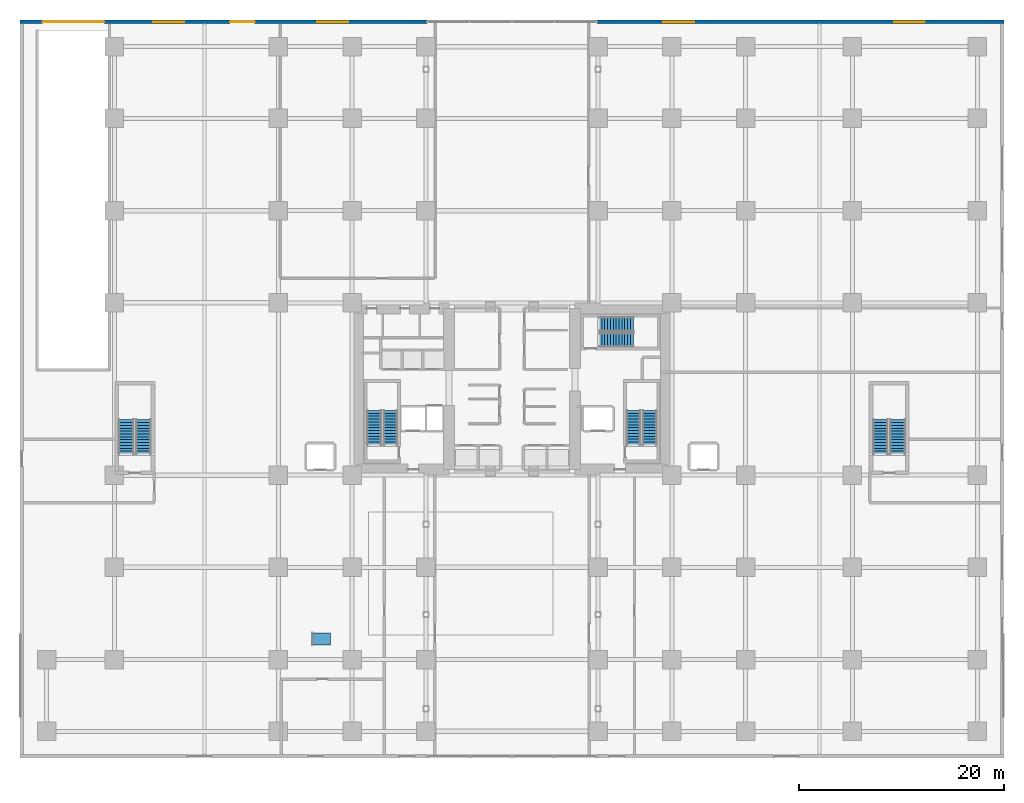
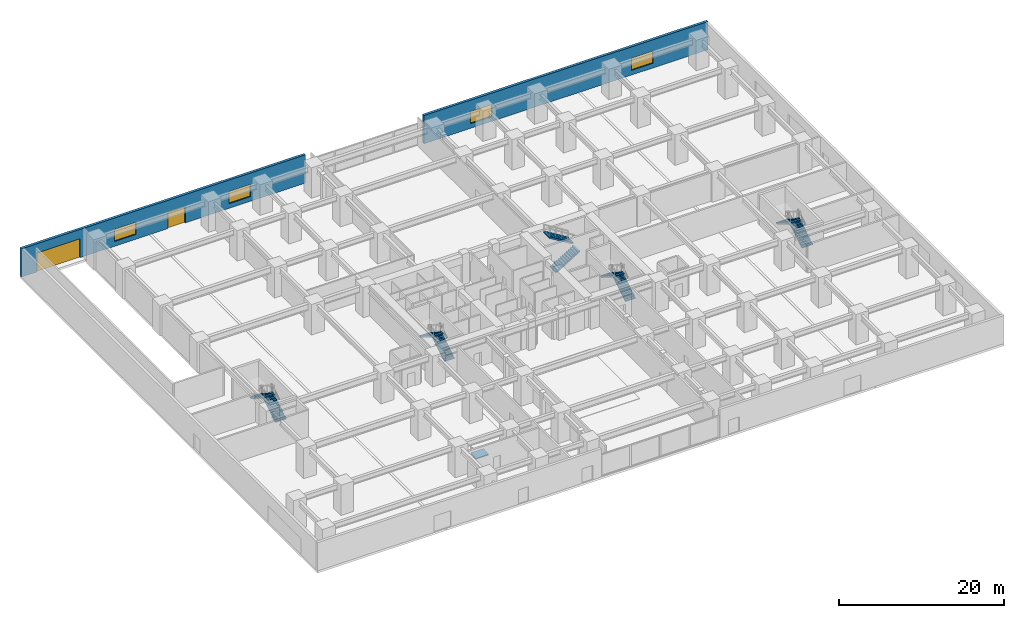
# One storey, part 17 of 26: 10 stair flights, 4 windows, 2 doors, 2 walls, 1 ramp flight, 6 openings, 6 elements without a shape of their own.
"""IFC4 building model written with IfcOpenShell, lengths in metres."""

from ifc_helpers import new_model, si_unit, direction, frame, frame_2d, origin, place, context, subcontext, project, spatial, polyline, rectangle, outline, extrude, material, layer, layer_set, type_object, element, fill, aggregate, save


model = new_model("IFC4")

# Units and contexts
model_context = context("Model", 3, precision=1e-05, world=origin(), true_north=direction((0.0, 1.0)))
body_context = subcontext(model_context, "Body", "Model", "MODEL_VIEW")
ifc_project = project(units=[si_unit("LENGTHUNIT", "METRE"), si_unit("AREAUNIT", "SQUARE_METRE"), si_unit("VOLUMEUNIT", "CUBIC_METRE"), si_unit("PLANEANGLEUNIT", "RADIAN"), si_unit("MASSUNIT", "GRAM", prefix="KILO")], contexts=[model_context])

# Site, building, storey
site_placement = place(None, origin())
site = spatial("IfcSite", under=ifc_project, at=site_placement, CompositionType="ELEMENT")
building_placement = place(site_placement, origin())
building = spatial("IfcBuilding", under=site, at=building_placement, Name="Kiyonajd Concourse Tower", CompositionType="ELEMENT")
storey_placement = place(building_placement, origin())
storey = spatial("IfcBuildingStorey", under=building, at=storey_placement, Name="L01", CompositionType="ELEMENT", Elevation=0.0)

# Wall, openings, doors, windows
ifc_material_1 = material(Name="Precast concrete C50/60", Category="concrete")
ifc_layer_1 = layer(ifc_material_1, 0.360107421875)
ifc_layer_set_1 = layer_set([ifc_layer_1], Name="Precast concrete C50/60")
wall_type = type_object("IfcWallType", Name="WL-EXT-360", PredefinedType="SOLIDWALL", material=ifc_layer_set_1)
wall_1_placement = place(storey_placement, frame((0.0, 71.820068359375, 0.0), z_axis=(0.0, 0.0, 1.0), x_axis=(1.0, 0.0, 0.0)))
wall_1 = element("IfcWall", 1, at=wall_1_placement, inside=storey, type_object=wall_type, Name="L01 North West Podium Facade Wall", PredefinedType="SOLIDWALL", context=body_context, shape_type="SweptSolid", body=[
    extrude(rectangle(XDim=39.719970703125, YDim=0.360107421875, at=frame_2d((19.85986328125, 0.0))), origin(), (0.0, 0.0, 1.0), 4.179931640625),
])
opening_1_placement = place(wall_1_placement, frame((13.0, 0.0, 0.699951171875)))
opening_1 = element("IfcOpeningElement", 2, at=opening_1_placement, cuts=wall_1, Name="Opening WN7", PredefinedType="OPENING", context=body_context, shape_type="SweptSolid", body=[
    extrude(rectangle(XDim=3.0, YDim=1.800048828125, at=frame_2d((1.5, 0.89990234375))), frame((0.0, 0.18994140625, 0.0), z_axis=(0.0, -1.0, 0.0), x_axis=(1.0, 0.0, 0.0)), (0.0, 0.0, 1.0), 0.380126953125),
])
opening_2_placement = place(wall_1_placement, frame((29.0, 0.0, 0.699951171875)))
opening_2 = element("IfcOpeningElement", 3, at=opening_2_placement, cuts=wall_1, Name="Opening WN7", PredefinedType="OPENING", context=body_context, shape_type="SweptSolid", body=[
    extrude(rectangle(XDim=3.0, YDim=1.800048828125, at=frame_2d((1.5, 0.89990234375))), frame((0.0, 0.18994140625, 0.0), z_axis=(0.0, -1.0, 0.0), x_axis=(1.0, 0.0, 0.0)), (0.0, 0.0, 1.0), 0.380126953125),
])
opening_3_placement = place(wall_1_placement, frame((2.199951171875, 0.0, 0.0)))
opening_3 = element("IfcOpeningElement", 4, at=opening_3_placement, cuts=wall_1, Name="Opening VG1", PredefinedType="OPENING", context=body_context, shape_type="SweptSolid", body=[
    extrude(rectangle(XDim=6.0, YDim=2.800048828125, at=frame_2d((3.0, 1.39990234375))), frame((0.0, 0.18994140625, 0.0), z_axis=(0.0, -1.0, 0.0), x_axis=(1.0, 0.0, 0.0)), (0.0, 0.0, 1.0), 0.380126953125),
])
opening_4_placement = place(wall_1_placement, frame((20.5, 0.0, 0.0)))
opening_4 = element("IfcOpeningElement", 5, at=opening_4_placement, cuts=wall_1, Name="Opening DCN1", PredefinedType="OPENING", context=body_context, shape_type="SweptSolid", body=[
    extrude(rectangle(XDim=2.39990234375, YDim=2.39990234375, at=frame_2d((1.199951171875, 1.199951171875))), frame((0.0, 0.18994140625, 0.0), z_axis=(0.0, -1.0, 0.0), x_axis=(1.0, 0.0, 0.0)), (0.0, 0.0, 1.0), 0.380126953125),
])
ifc_material_2 = material(Name="Thermally Broken Anodised Aluminium", Category="aluminium")
door_type_1 = type_object("IfcDoorType", Name="DR-CON-2400", OperationType="DOUBLE_DOOR_SINGLE_SWING", PredefinedType="DOOR", material=ifc_material_2)
door_1_placement = place(opening_4_placement, origin())
door_1 = element("IfcDoor", 6, at=door_1_placement, inside=storey, type_object=door_type_1, Name="L01 North Plaza Entrance Door", OperationType="DOUBLE_DOOR_SINGLE_SWING", OverallHeight=2.39990234375, OverallWidth=2.39990234375, PredefinedType="DOOR", context=body_context, shape_type="SweptSolid", body=[
    extrude(rectangle(XDim=2.39990234375, YDim=2.39990234375, at=frame_2d((1.199951171875, 1.199951171875))), frame((0.0, 0.02490234375, 0.0), z_axis=(0.0, -1.0, 0.0), x_axis=(1.0, 0.0, 0.0)), (0.0, 0.0, 1.0), 0.050048828125),
])
fill(opening_4, door_1)
door_type_2 = type_object("IfcDoorType", Name="DR-GATE-VG1", OperationType="ROLLINGUP", PredefinedType="GATE", material=ifc_material_2)
door_2_placement = place(opening_3_placement, origin())
door_2 = element("IfcDoor", 7, at=door_2_placement, inside=storey, type_object=door_type_2, Name="Basement Car Park Vehicle Ramp Shutter Gate VG1", OperationType="ROLLINGUP", OverallHeight=2.800048828125, OverallWidth=6.0, PredefinedType="GATE", context=body_context, shape_type="SweptSolid", body=[
    extrude(rectangle(XDim=6.0, YDim=2.800048828125, at=frame_2d((3.0, 1.39990234375))), frame((0.0, 0.02490234375, 0.0), z_axis=(0.0, -1.0, 0.0), x_axis=(1.0, 0.0, 0.0)), (0.0, 0.0, 1.0), 0.050048828125),
])
fill(opening_3, door_2)
ifc_material_3 = material(Name="Double Low-E Insulated Glass", Category="glass")
window_type = type_object("IfcWindowType", Name="WN-POD-3000x1800", PartitioningType="SINGLE_PANEL", PredefinedType="WINDOW", material=ifc_material_3)
window_1_placement = place(opening_1_placement, origin())
window_1 = element("IfcWindow", 8, at=window_1_placement, inside=storey, type_object=window_type, Name="L01 North West Podium Vision Window", OverallHeight=1.800048828125, OverallWidth=3.0, PartitioningType="SINGLE_PANEL", PredefinedType="WINDOW", context=body_context, shape_type="SweptSolid", body=[
    extrude(rectangle(XDim=3.0, YDim=1.800048828125, at=frame_2d((1.5, 0.89990234375))), frame((0.0, 0.030029296875, 0.0), z_axis=(0.0, -1.0, 0.0), x_axis=(1.0, 0.0, 0.0)), (0.0, 0.0, 1.0), 0.06005859375),
])
fill(opening_1, window_1)
window_2_placement = place(opening_2_placement, origin())
window_2 = element("IfcWindow", 9, at=window_2_placement, inside=storey, type_object=window_type, Name="L01 North West Podium Vision Window", OverallHeight=1.800048828125, OverallWidth=3.0, PartitioningType="SINGLE_PANEL", PredefinedType="WINDOW", context=body_context, shape_type="SweptSolid", body=[
    extrude(rectangle(XDim=3.0, YDim=1.800048828125, at=frame_2d((1.5, 0.89990234375))), frame((0.0, 0.030029296875, 0.0), z_axis=(0.0, -1.0, 0.0), x_axis=(1.0, 0.0, 0.0)), (0.0, 0.0, 1.0), 0.06005859375),
])
fill(opening_2, window_2)

# Wall, openings, windows
wall_2_placement = place(storey_placement, frame((56.280029296875, 71.820068359375, 0.0), z_axis=(0.0, 0.0, 1.0), x_axis=(1.0, 0.0, 0.0)))
wall_2 = element("IfcWall", 10, at=wall_2_placement, inside=storey, type_object=wall_type, Name="L01 North East Podium Facade Wall", PredefinedType="SOLIDWALL", context=body_context, shape_type="SweptSolid", body=[
    extrude(rectangle(XDim=39.719970703125, YDim=0.360107421875, at=frame_2d((19.85986328125, 0.0))), origin(), (0.0, 0.0, 1.0), 4.179931640625),
])
opening_5_placement = place(wall_2_placement, frame((6.5, 0.0, 0.699951171875)))
opening_5 = element("IfcOpeningElement", 11, at=opening_5_placement, cuts=wall_2, Name="Opening WN7", PredefinedType="OPENING", context=body_context, shape_type="SweptSolid", body=[
    extrude(rectangle(XDim=3.0, YDim=1.800048828125, at=frame_2d((1.5, 0.89990234375))), frame((0.0, 0.18994140625, 0.0), z_axis=(0.0, -1.0, 0.0), x_axis=(1.0, 0.0, 0.0)), (0.0, 0.0, 1.0), 0.380126953125),
])
opening_6_placement = place(wall_2_placement, frame((29.0, 0.0, 0.699951171875)))
opening_6 = element("IfcOpeningElement", 12, at=opening_6_placement, cuts=wall_2, Name="Opening WN7", PredefinedType="OPENING", context=body_context, shape_type="SweptSolid", body=[
    extrude(rectangle(XDim=3.0, YDim=1.800048828125, at=frame_2d((1.5, 0.89990234375))), frame((0.0, 0.18994140625, 0.0), z_axis=(0.0, -1.0, 0.0), x_axis=(1.0, 0.0, 0.0)), (0.0, 0.0, 1.0), 0.380126953125),
])
window_3_placement = place(opening_5_placement, origin())
window_3 = element("IfcWindow", 13, at=window_3_placement, inside=storey, type_object=window_type, Name="L01 North East Podium Vision Window", OverallHeight=1.800048828125, OverallWidth=3.0, PartitioningType="SINGLE_PANEL", PredefinedType="WINDOW", context=body_context, shape_type="SweptSolid", body=[
    extrude(rectangle(XDim=3.0, YDim=1.800048828125, at=frame_2d((1.5, 0.89990234375))), frame((0.0, 0.030029296875, 0.0), z_axis=(0.0, -1.0, 0.0), x_axis=(1.0, 0.0, 0.0)), (0.0, 0.0, 1.0), 0.06005859375),
])
fill(opening_5, window_3)
window_4_placement = place(opening_6_placement, origin())
window_4 = element("IfcWindow", 14, at=window_4_placement, inside=storey, type_object=window_type, Name="L01 North East Podium Vision Window", OverallHeight=1.800048828125, OverallWidth=3.0, PartitioningType="SINGLE_PANEL", PredefinedType="WINDOW", context=body_context, shape_type="SweptSolid", body=[
    extrude(rectangle(XDim=3.0, YDim=1.800048828125, at=frame_2d((1.5, 0.89990234375))), frame((0.0, 0.030029296875, 0.0), z_axis=(0.0, -1.0, 0.0), x_axis=(1.0, 0.0, 0.0)), (0.0, 0.0, 1.0), 0.06005859375),
])
fill(opening_6, window_4)

# Stair, stair flights
ifc_material_4 = material(Name="Concrete C40/50", Category="concrete")
stair_type_1 = type_object("IfcStairType", Name="ST-POD-1500", PredefinedType="HALF_TURN_STAIR", material=ifc_material_4)
stair_1_placement = place(storey_placement, origin())
stair_1 = element("IfcStair", 15, at=stair_1_placement, inside=storey, type_object=stair_type_1, Name="L01 West Podium Exit Stair ST4", PredefinedType="HALF_TURN_STAIR")
stair_flight_type_1 = type_object("IfcStairFlightType", Name="SF-POD-1500", PredefinedType="STRAIGHT", material=ifc_material_4)
stair_flight_1_placement = place(storey_placement, frame((12.050048828125, 29.64990234375, 0.0), z_axis=(0.0, 0.0, 1.0), x_axis=(0.0, 1.0, 0.0)))
stair_flight_1 = element("IfcStairFlight", 16, at=stair_flight_1_placement, type_object=stair_flight_type_1, Name="ST4 flight 1", NumberOfRisers=13, NumberOfTreads=12, PredefinedType="STRAIGHT", RiserHeight=0.173076923, TreadLength=0.28, context=body_context, shape_type="SweptSolid", body=[
    extrude(outline(polyline([(0.0, 0.0), (0.0, 0.173095703125), (0.280029296875, 0.173095703125), (0.280029296875, 0.34619140625), (0.56005859375, 0.34619140625), (0.56005859375, 0.519287109375), (0.840087890625, 0.519287109375), (0.840087890625, 0.6923828125), (1.1201171875, 0.6923828125), (1.1201171875, 0.865478515625), (1.39990234375, 0.865478515625), (1.39990234375, 1.03857421875), (1.679931640625, 1.03857421875), (1.679931640625, 1.21142578125), (1.9599609375, 1.21142578125), (1.9599609375, 1.384521484375), (2.239990234375, 1.384521484375), (2.239990234375, 1.5576171875), (2.52001953125, 1.5576171875), (2.52001953125, 1.730712890625), (2.800048828125, 1.730712890625), (2.800048828125, 1.90380859375), (3.080078125, 1.90380859375), (3.080078125, 2.076904296875), (3.360107421875, 2.076904296875), (3.360107421875, 2.25), (3.360107421875, 1.900634765625), (0.28515625, 0.0), (0.0, 0.0)])), frame((0.0, 0.75, 0.0), z_axis=(0.0, -1.0, 0.0), x_axis=(1.0, 0.0, 0.0)), (0.0, 0.0, 1.0), 1.5),
])
stair_flight_2_placement = place(storey_placement, frame((10.35009765625, 33.010009765625, 2.25), z_axis=(0.0, 0.0, 1.0), x_axis=(0.0, -1.0, 0.0)))
stair_flight_2 = element("IfcStairFlight", 17, at=stair_flight_2_placement, type_object=stair_flight_type_1, Name="ST4 flight 2", NumberOfRisers=13, NumberOfTreads=12, PredefinedType="STRAIGHT", RiserHeight=0.173076923, TreadLength=0.28, context=body_context, shape_type="SweptSolid", body=[
    extrude(outline(polyline([(0.0, 0.0), (0.0, 0.173095703125), (0.280029296875, 0.173095703125), (0.280029296875, 0.34619140625), (0.56005859375, 0.34619140625), (0.56005859375, 0.519287109375), (0.840087890625, 0.519287109375), (0.840087890625, 0.6923828125), (1.1201171875, 0.6923828125), (1.1201171875, 0.865478515625), (1.39990234375, 0.865478515625), (1.39990234375, 1.03857421875), (1.679931640625, 1.03857421875), (1.679931640625, 1.21142578125), (1.9599609375, 1.21142578125), (1.9599609375, 1.384521484375), (2.239990234375, 1.384521484375), (2.239990234375, 1.5576171875), (2.52001953125, 1.5576171875), (2.52001953125, 1.730712890625), (2.800048828125, 1.730712890625), (2.800048828125, 1.90380859375), (3.080078125, 1.90380859375), (3.080078125, 2.076904296875), (3.360107421875, 2.076904296875), (3.360107421875, 2.25), (3.360107421875, 1.900634765625), (0.28515625, 0.0), (0.0, 0.0)])), frame((0.0, 0.75, 0.0), z_axis=(0.0, -1.0, 0.0), x_axis=(1.0, 0.0, 0.0)), (0.0, 0.0, 1.0), 1.5),
])
aggregate(stair_1, [stair_flight_1, stair_flight_2])

stair_2_placement = place(storey_placement, origin())
stair_2 = element("IfcStair", 18, at=stair_2_placement, inside=storey, type_object=stair_type_1, Name="L01 East Podium Exit Stair ST5", PredefinedType="HALF_TURN_STAIR")
stair_flight_3_placement = place(storey_placement, frame((85.64990234375, 29.64990234375, 0.0), z_axis=(0.0, 0.0, 1.0), x_axis=(0.0, 1.0, 0.0)))
stair_flight_3 = element("IfcStairFlight", 19, at=stair_flight_3_placement, type_object=stair_flight_type_1, Name="ST5 flight 1", NumberOfRisers=13, NumberOfTreads=12, PredefinedType="STRAIGHT", RiserHeight=0.173076923, TreadLength=0.28, context=body_context, shape_type="SweptSolid", body=[
    extrude(outline(polyline([(0.0, 0.0), (0.0, 0.173095703125), (0.280029296875, 0.173095703125), (0.280029296875, 0.34619140625), (0.56005859375, 0.34619140625), (0.56005859375, 0.519287109375), (0.840087890625, 0.519287109375), (0.840087890625, 0.6923828125), (1.1201171875, 0.6923828125), (1.1201171875, 0.865478515625), (1.39990234375, 0.865478515625), (1.39990234375, 1.03857421875), (1.679931640625, 1.03857421875), (1.679931640625, 1.21142578125), (1.9599609375, 1.21142578125), (1.9599609375, 1.384521484375), (2.239990234375, 1.384521484375), (2.239990234375, 1.5576171875), (2.52001953125, 1.5576171875), (2.52001953125, 1.730712890625), (2.800048828125, 1.730712890625), (2.800048828125, 1.90380859375), (3.080078125, 1.90380859375), (3.080078125, 2.076904296875), (3.360107421875, 2.076904296875), (3.360107421875, 2.25), (3.360107421875, 1.900634765625), (0.28515625, 0.0), (0.0, 0.0)])), frame((0.0, 0.75, 0.0), z_axis=(0.0, -1.0, 0.0), x_axis=(1.0, 0.0, 0.0)), (0.0, 0.0, 1.0), 1.5),
])
stair_flight_4_placement = place(storey_placement, frame((83.949951171875, 33.010009765625, 2.25), z_axis=(0.0, 0.0, 1.0), x_axis=(0.0, -1.0, 0.0)))
stair_flight_4 = element("IfcStairFlight", 20, at=stair_flight_4_placement, type_object=stair_flight_type_1, Name="ST5 flight 2", NumberOfRisers=13, NumberOfTreads=12, PredefinedType="STRAIGHT", RiserHeight=0.173076923, TreadLength=0.28, context=body_context, shape_type="SweptSolid", body=[
    extrude(outline(polyline([(0.0, 0.0), (0.0, 0.173095703125), (0.280029296875, 0.173095703125), (0.280029296875, 0.34619140625), (0.56005859375, 0.34619140625), (0.56005859375, 0.519287109375), (0.840087890625, 0.519287109375), (0.840087890625, 0.6923828125), (1.1201171875, 0.6923828125), (1.1201171875, 0.865478515625), (1.39990234375, 0.865478515625), (1.39990234375, 1.03857421875), (1.679931640625, 1.03857421875), (1.679931640625, 1.21142578125), (1.9599609375, 1.21142578125), (1.9599609375, 1.384521484375), (2.239990234375, 1.384521484375), (2.239990234375, 1.5576171875), (2.52001953125, 1.5576171875), (2.52001953125, 1.730712890625), (2.800048828125, 1.730712890625), (2.800048828125, 1.90380859375), (3.080078125, 1.90380859375), (3.080078125, 2.076904296875), (3.360107421875, 2.076904296875), (3.360107421875, 2.25), (3.360107421875, 1.900634765625), (0.28515625, 0.0), (0.0, 0.0)])), frame((0.0, 0.75, 0.0), z_axis=(0.0, -1.0, 0.0), x_axis=(1.0, 0.0, 0.0)), (0.0, 0.0, 1.0), 1.5),
])
aggregate(stair_2, [stair_flight_3, stair_flight_4])

stair_type_2 = type_object("IfcStairType", Name="ST-DLG-26R", PredefinedType="HALF_TURN_STAIR", material=ifc_material_4)
stair_3_placement = place(storey_placement, origin())
stair_3 = element("IfcStair", 21, at=stair_3_placement, inside=storey, type_object=stair_type_2, Name="L01 Protected Exit Stair ST1", PredefinedType="HALF_TURN_STAIR")
stair_flight_type_2 = type_object("IfcStairFlightType", Name="SF-STR-26R", PredefinedType="STRAIGHT", material=ifc_material_4)
stair_flight_5_placement = place(storey_placement, frame((36.14990234375, 30.550048828125, 0.0), z_axis=(0.0, 0.0, 1.0), x_axis=(0.0, 1.0, 0.0)))
stair_flight_5 = element("IfcStairFlight", 22, at=stair_flight_5_placement, type_object=stair_flight_type_2, Name="ST1 flight 1", NumberOfRisers=13, NumberOfTreads=12, PredefinedType="STRAIGHT", RiserHeight=0.173076923, TreadLength=0.28, context=body_context, shape_type="SweptSolid", body=[
    extrude(outline(polyline([(0.0, 0.0), (0.0, 0.173095703125), (0.280029296875, 0.173095703125), (0.280029296875, 0.34619140625), (0.56005859375, 0.34619140625), (0.56005859375, 0.519287109375), (0.840087890625, 0.519287109375), (0.840087890625, 0.6923828125), (1.1201171875, 0.6923828125), (1.1201171875, 0.865478515625), (1.39990234375, 0.865478515625), (1.39990234375, 1.03857421875), (1.679931640625, 1.03857421875), (1.679931640625, 1.21142578125), (1.9599609375, 1.21142578125), (1.9599609375, 1.384521484375), (2.239990234375, 1.384521484375), (2.239990234375, 1.5576171875), (2.52001953125, 1.5576171875), (2.52001953125, 1.730712890625), (2.800048828125, 1.730712890625), (2.800048828125, 1.90380859375), (3.080078125, 1.90380859375), (3.080078125, 2.076904296875), (3.360107421875, 2.076904296875), (3.360107421875, 2.25), (3.360107421875, 1.900634765625), (0.28515625, 0.0), (0.0, 0.0)])), frame((0.0, 0.699951171875, 0.0), z_axis=(0.0, -1.0, 0.0), x_axis=(1.0, 0.0, 0.0)), (0.0, 0.0, 1.0), 1.39990234375),
])
stair_flight_6_placement = place(storey_placement, frame((34.550048828125, 33.909912109375, 2.25), z_axis=(0.0, 0.0, 1.0), x_axis=(0.0, -1.0, 0.0)))
stair_flight_6 = element("IfcStairFlight", 23, at=stair_flight_6_placement, type_object=stair_flight_type_2, Name="ST1 flight 2", NumberOfRisers=13, NumberOfTreads=12, PredefinedType="STRAIGHT", RiserHeight=0.173076923, TreadLength=0.28, context=body_context, shape_type="SweptSolid", body=[
    extrude(outline(polyline([(0.0, 0.0), (0.0, 0.173095703125), (0.280029296875, 0.173095703125), (0.280029296875, 0.34619140625), (0.56005859375, 0.34619140625), (0.56005859375, 0.519287109375), (0.840087890625, 0.519287109375), (0.840087890625, 0.6923828125), (1.1201171875, 0.6923828125), (1.1201171875, 0.865478515625), (1.39990234375, 0.865478515625), (1.39990234375, 1.03857421875), (1.679931640625, 1.03857421875), (1.679931640625, 1.21142578125), (1.9599609375, 1.21142578125), (1.9599609375, 1.384521484375), (2.239990234375, 1.384521484375), (2.239990234375, 1.5576171875), (2.52001953125, 1.5576171875), (2.52001953125, 1.730712890625), (2.800048828125, 1.730712890625), (2.800048828125, 1.90380859375), (3.080078125, 1.90380859375), (3.080078125, 2.076904296875), (3.360107421875, 2.076904296875), (3.360107421875, 2.25), (3.360107421875, 1.900634765625), (0.28515625, 0.0), (0.0, 0.0)])), frame((0.0, 0.699951171875, 0.0), z_axis=(0.0, -1.0, 0.0), x_axis=(1.0, 0.0, 0.0)), (0.0, 0.0, 1.0), 1.39990234375),
])
aggregate(stair_3, [stair_flight_5, stair_flight_6])

stair_4_placement = place(storey_placement, origin())
stair_4 = element("IfcStair", 24, at=stair_4_placement, inside=storey, type_object=stair_type_2, Name="L01 Protected Exit Stair ST2", PredefinedType="HALF_TURN_STAIR")
stair_flight_7_placement = place(storey_placement, frame((61.449951171875, 30.550048828125, 0.0), z_axis=(0.0, 0.0, 1.0), x_axis=(0.0, 1.0, 0.0)))
stair_flight_7 = element("IfcStairFlight", 25, at=stair_flight_7_placement, type_object=stair_flight_type_2, Name="ST2 flight 1", NumberOfRisers=13, NumberOfTreads=12, PredefinedType="STRAIGHT", RiserHeight=0.173076923, TreadLength=0.28, context=body_context, shape_type="SweptSolid", body=[
    extrude(outline(polyline([(0.0, 0.0), (0.0, 0.173095703125), (0.280029296875, 0.173095703125), (0.280029296875, 0.34619140625), (0.56005859375, 0.34619140625), (0.56005859375, 0.519287109375), (0.840087890625, 0.519287109375), (0.840087890625, 0.6923828125), (1.1201171875, 0.6923828125), (1.1201171875, 0.865478515625), (1.39990234375, 0.865478515625), (1.39990234375, 1.03857421875), (1.679931640625, 1.03857421875), (1.679931640625, 1.21142578125), (1.9599609375, 1.21142578125), (1.9599609375, 1.384521484375), (2.239990234375, 1.384521484375), (2.239990234375, 1.5576171875), (2.52001953125, 1.5576171875), (2.52001953125, 1.730712890625), (2.800048828125, 1.730712890625), (2.800048828125, 1.90380859375), (3.080078125, 1.90380859375), (3.080078125, 2.076904296875), (3.360107421875, 2.076904296875), (3.360107421875, 2.25), (3.360107421875, 1.900634765625), (0.28515625, 0.0), (0.0, 0.0)])), frame((0.0, 0.699951171875, 0.0), z_axis=(0.0, -1.0, 0.0), x_axis=(1.0, 0.0, 0.0)), (0.0, 0.0, 1.0), 1.39990234375),
])
stair_flight_8_placement = place(storey_placement, frame((59.85009765625, 33.909912109375, 2.25), z_axis=(0.0, 0.0, 1.0), x_axis=(0.0, -1.0, 0.0)))
stair_flight_8 = element("IfcStairFlight", 26, at=stair_flight_8_placement, type_object=stair_flight_type_2, Name="ST2 flight 2", NumberOfRisers=13, NumberOfTreads=12, PredefinedType="STRAIGHT", RiserHeight=0.173076923, TreadLength=0.28, context=body_context, shape_type="SweptSolid", body=[
    extrude(outline(polyline([(0.0, 0.0), (0.0, 0.173095703125), (0.280029296875, 0.173095703125), (0.280029296875, 0.34619140625), (0.56005859375, 0.34619140625), (0.56005859375, 0.519287109375), (0.840087890625, 0.519287109375), (0.840087890625, 0.6923828125), (1.1201171875, 0.6923828125), (1.1201171875, 0.865478515625), (1.39990234375, 0.865478515625), (1.39990234375, 1.03857421875), (1.679931640625, 1.03857421875), (1.679931640625, 1.21142578125), (1.9599609375, 1.21142578125), (1.9599609375, 1.384521484375), (2.239990234375, 1.384521484375), (2.239990234375, 1.5576171875), (2.52001953125, 1.5576171875), (2.52001953125, 1.730712890625), (2.800048828125, 1.730712890625), (2.800048828125, 1.90380859375), (3.080078125, 1.90380859375), (3.080078125, 2.076904296875), (3.360107421875, 2.076904296875), (3.360107421875, 2.25), (3.360107421875, 1.900634765625), (0.28515625, 0.0), (0.0, 0.0)])), frame((0.0, 0.699951171875, 0.0), z_axis=(0.0, -1.0, 0.0), x_axis=(1.0, 0.0, 0.0)), (0.0, 0.0, 1.0), 1.39990234375),
])
aggregate(stair_4, [stair_flight_7, stair_flight_8])

stair_5_placement = place(storey_placement, origin())
stair_5 = element("IfcStair", 27, at=stair_5_placement, inside=storey, type_object=stair_type_2, Name="L01 Protected Exit Stair ST3", PredefinedType="HALF_TURN_STAIR")
stair_flight_9_placement = place(storey_placement, frame((56.47998046875, 40.780029296875, 0.0), z_axis=(0.0, 0.0, 1.0), x_axis=(1.0, 0.0, 0.0)))
stair_flight_9 = element("IfcStairFlight", 28, at=stair_flight_9_placement, type_object=stair_flight_type_2, Name="ST3 flight 1", NumberOfRisers=13, NumberOfTreads=12, PredefinedType="STRAIGHT", RiserHeight=0.173076923, TreadLength=0.28, context=body_context, shape_type="SweptSolid", body=[
    extrude(outline(polyline([(0.0, 0.0), (0.0, 0.173095703125), (0.280029296875, 0.173095703125), (0.280029296875, 0.34619140625), (0.56005859375, 0.34619140625), (0.56005859375, 0.519287109375), (0.840087890625, 0.519287109375), (0.840087890625, 0.6923828125), (1.1201171875, 0.6923828125), (1.1201171875, 0.865478515625), (1.39990234375, 0.865478515625), (1.39990234375, 1.03857421875), (1.679931640625, 1.03857421875), (1.679931640625, 1.21142578125), (1.9599609375, 1.21142578125), (1.9599609375, 1.384521484375), (2.239990234375, 1.384521484375), (2.239990234375, 1.5576171875), (2.52001953125, 1.5576171875), (2.52001953125, 1.730712890625), (2.800048828125, 1.730712890625), (2.800048828125, 1.90380859375), (3.080078125, 1.90380859375), (3.080078125, 2.076904296875), (3.360107421875, 2.076904296875), (3.360107421875, 2.25), (3.360107421875, 1.900634765625), (0.28515625, 0.0), (0.0, 0.0)])), frame((0.0, 0.699951171875, 0.0), z_axis=(0.0, -1.0, 0.0), x_axis=(1.0, 0.0, 0.0)), (0.0, 0.0, 1.0), 1.39990234375),
])
stair_flight_10_placement = place(storey_placement, frame((59.840087890625, 42.320068359375, 2.25), z_axis=(0.0, 0.0, 1.0), x_axis=(-1.0, 0.0, 0.0)))
stair_flight_10 = element("IfcStairFlight", 29, at=stair_flight_10_placement, type_object=stair_flight_type_2, Name="ST3 flight 2", NumberOfRisers=13, NumberOfTreads=12, PredefinedType="STRAIGHT", RiserHeight=0.173076923, TreadLength=0.28, context=body_context, shape_type="SweptSolid", body=[
    extrude(outline(polyline([(0.0, 0.0), (0.0, 0.173095703125), (0.280029296875, 0.173095703125), (0.280029296875, 0.34619140625), (0.56005859375, 0.34619140625), (0.56005859375, 0.519287109375), (0.840087890625, 0.519287109375), (0.840087890625, 0.6923828125), (1.1201171875, 0.6923828125), (1.1201171875, 0.865478515625), (1.39990234375, 0.865478515625), (1.39990234375, 1.03857421875), (1.679931640625, 1.03857421875), (1.679931640625, 1.21142578125), (1.9599609375, 1.21142578125), (1.9599609375, 1.384521484375), (2.239990234375, 1.384521484375), (2.239990234375, 1.5576171875), (2.52001953125, 1.5576171875), (2.52001953125, 1.730712890625), (2.800048828125, 1.730712890625), (2.800048828125, 1.90380859375), (3.080078125, 1.90380859375), (3.080078125, 2.076904296875), (3.360107421875, 2.076904296875), (3.360107421875, 2.25), (3.360107421875, 1.900634765625), (0.28515625, 0.0), (0.0, 0.0)])), frame((0.0, 0.699951171875, 0.0), z_axis=(0.0, -1.0, 0.0), x_axis=(1.0, 0.0, 0.0)), (0.0, 0.0, 1.0), 1.39990234375),
])
aggregate(stair_5, [stair_flight_9, stair_flight_10])

# Ramp, ramp flight
ramp_type = type_object("IfcRampType", Name="RM-PED-1800", PredefinedType="STRAIGHT_RUN_RAMP", material=ifc_material_4)
ramp_placement = place(storey_placement, origin())
ramp = element("IfcRamp", 30, at=ramp_placement, inside=storey, type_object=ramp_type, Name="L01 Accessible Threshold Ramp PR1", PredefinedType="STRAIGHT_RUN_RAMP")
ifc_layer_2 = layer(ifc_material_4, 0.179931640625)
ifc_layer_set_2 = layer_set([ifc_layer_2], Name="Concrete C40/50")
ramp_flight_type = type_object("IfcRampFlightType", Name="RF-PED-180", PredefinedType="STRAIGHT", material=ifc_layer_set_2)
ramp_flight_placement = place(storey_placement, frame((28.5, 11.0, 0.0), z_axis=(0.0, -0.083129378007, 0.996538763176), x_axis=(1.0, 0.0, 0.0)))
ramp_flight = element("IfcRampFlight", 31, at=ramp_flight_placement, type_object=ramp_flight_type, Name="L01 Accessible Ramp Flight PR1", PredefinedType="STRAIGHT", context=body_context, shape_type="SweptSolid", body=[
    extrude(outline(polyline([(0.0, 0.0), (1.800048828125, 0.0), (1.800048828125, 1.2041189125958156), (0.0, 1.2041189125958156), (0.0, 0.0)])), origin(), (0.0, 0.0, -1.0), 0.179931640625),
])
aggregate(ramp, [ramp_flight])

save(model, "model.ifc")
